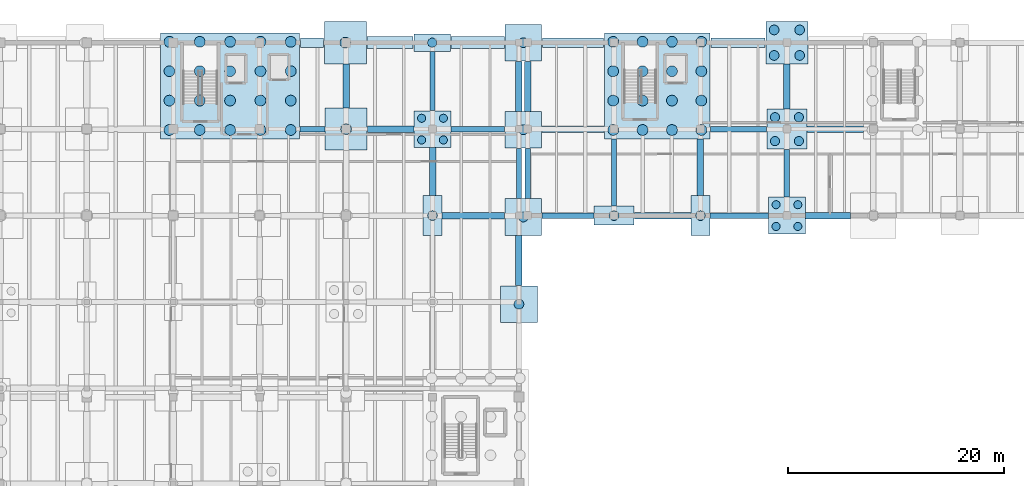
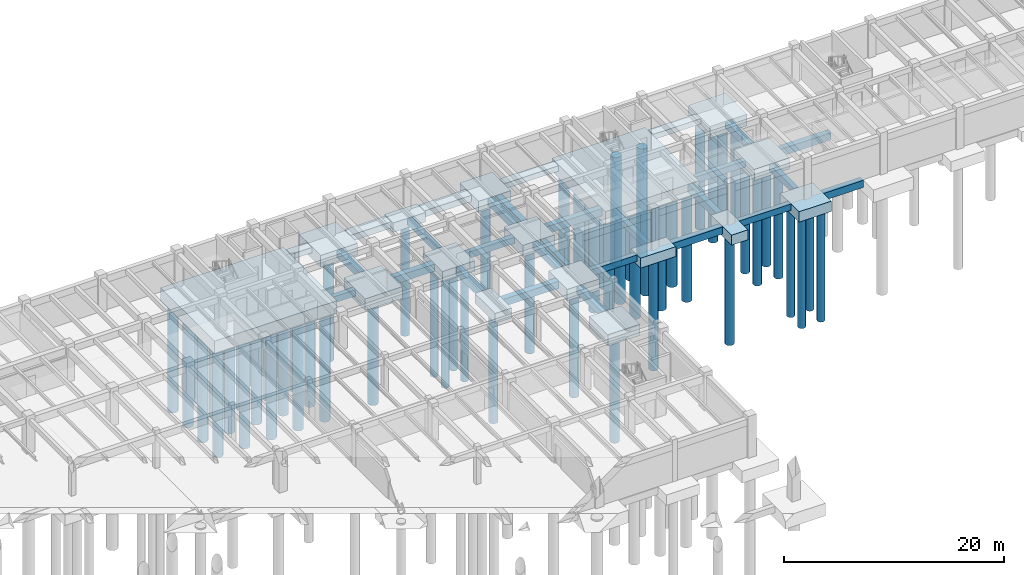
# One storey, part 5 of 25: 62 piles, 44 footings.
"""IFC4 building model written with IfcOpenShell, lengths in metres."""

from ifc_helpers import new_model, si_unit, direction, frame, origin, origin_2d, place, context, subcontext, project, spatial, rectangle, circle, extrude, material, layer, layer_set, material_profile, profile_set, type_object, element, save


model = new_model("IFC4")

# Units and contexts
model_context = context("Model", 3, precision=1e-05, world=origin(), true_north=direction((0.0, 1.0)))
body_context = subcontext(model_context, "Body", "Model", "MODEL_VIEW")
ifc_project = project(units=[si_unit("LENGTHUNIT", "METRE"), si_unit("AREAUNIT", "SQUARE_METRE"), si_unit("VOLUMEUNIT", "CUBIC_METRE"), si_unit("PLANEANGLEUNIT", "RADIAN"), si_unit("MASSUNIT", "GRAM", prefix="KILO")], contexts=[model_context])

# Site, building, storey
site_placement = place(None, origin())
site = spatial("IfcSite", under=ifc_project, at=site_placement, CompositionType="ELEMENT")
building_placement = place(site_placement, origin())
building = spatial("IfcBuilding", under=site, at=building_placement, Name="Tlaxcora Railside Police Headquarters", CompositionType="ELEMENT")
storey_placement = place(building_placement, frame((0.0, 0.0, -4.199951171875)))
storey = spatial("IfcBuildingStorey", under=building, at=storey_placement, Name="B1", CompositionType="ELEMENT", Elevation=-4.199951171875)

# Piles
ifc_material_1 = material(Name="Concrete C35/45", Category="concrete")
ifc_material_profile_1 = material_profile(ifc_material_1, circle(Radius=0.425048828125, at=origin_2d()), Name="PILE850")
ifc_profile_set_1 = profile_set([ifc_material_profile_1], Name="Concrete C35/45")
pile_type_1 = type_object("IfcPileType", Name="Cast-in-Place Bored Pile PL-12", PredefinedType="BORED", material=ifc_profile_set_1)
pile_1_placement = place(storey_placement, frame((93.966552734375, 92.800048828125, -1.340087890625), z_axis=(0.0, 0.0, -1.0), x_axis=(1.0, 0.0, 0.0)))
element("IfcPile", 1, at=pile_1_placement, inside=storey, type_object=pile_type_1, Name="Bored pile PILE-077-1", PredefinedType="BORED", context=body_context, shape_type="SweptSolid", body=[
    extrude(circle(Radius=0.425048828125, at=origin_2d()), origin(), (0.0, 0.0, 1.0), 12.4599609375),
])
for number, where, z_axis, x_axis, name in (
    (2, (125.695068359375, 83.695068359375, -1.5400390625), (0.0, 0.0, -1.0), (1.0, 0.0, 0.0), "Bored pile PILE-091-1"),
    (3, (125.695068359375, 85.905029296875, -1.5400390625), (0.0, 0.0, -1.0), (1.0, 0.0, 0.0), "Bored pile PILE-091-2"),
    (4, (127.905029296875, 83.695068359375, -1.5400390625), (0.0, 0.0, -1.0), (1.0, 0.0, 0.0), "Bored pile PILE-091-3"),
    (5, (127.905029296875, 85.905029296875, -1.5400390625), (0.0, 0.0, -1.0), (1.0, 0.0, 0.0), "Bored pile PILE-091-4"),
):
    element("IfcPile", number, at=place(storey_placement, frame(where, z_axis=z_axis, x_axis=x_axis)), inside=storey, type_object=pile_type_1, Name=name, PredefinedType="BORED", context=body_context, shape_type="SweptSolid", body=[
        extrude(circle(Radius=0.425048828125, at=origin_2d()), origin(), (0.0, 0.0, 1.0), 12.260009765625),
    ])
ifc_material_profile_2 = material_profile(ifc_material_1, circle(Radius=0.449951171875, at=origin_2d()), Name="PILE900")
ifc_profile_set_2 = profile_set([ifc_material_profile_2], Name="Concrete C35/45")
pile_type_2 = type_object("IfcPileType", Name="Cast-in-Place Bored Pile PL-52", PredefinedType="BORED", material=ifc_profile_set_2)
pile_2_placement = place(storey_placement, frame((94.0, 76.800048828125, -1.39013671875), z_axis=(0.0, 0.0, -1.0), x_axis=(1.0, 0.0, 0.0)))
element("IfcPile", 6, at=pile_2_placement, inside=storey, type_object=pile_type_2, Name="Bored pile PILE-080-1", PredefinedType="BORED", context=body_context, shape_type="SweptSolid", body=[
    extrude(circle(Radius=0.449951171875, at=origin_2d()), origin(), (0.0, 0.0, 1.0), 12.409912109375),
])
for number, where, z_axis, x_axis, name in (
    (7, (102.0, 68.60009765625, -1.5400390625), (0.0, 0.0, -1.0), (1.0, 0.0, 0.0), "Bored pile PILE-084-1"),
    (8, (102.39990234375, 76.66650390625, -1.5400390625), (0.0, 0.0, -1.0), (1.0, 0.0, 0.0), "Bored pile PILE-085-1"),
    (9, (102.39990234375, 84.7333984375, -1.5400390625), (0.0, 0.0, -1.0), (1.0, 0.0, 0.0), "Bored pile PILE-086-1"),
    (10, (102.39990234375, 92.800048828125, -1.5400390625), (0.0, 0.0, -1.0), (1.0, 0.0, 0.0), "Bored pile PILE-087-1"),
):
    element("IfcPile", number, at=place(storey_placement, frame(where, z_axis=z_axis, x_axis=x_axis)), inside=storey, type_object=pile_type_2, Name=name, PredefinedType="BORED", context=body_context, shape_type="SweptSolid", body=[
        extrude(circle(Radius=0.449951171875, at=origin_2d()), origin(), (0.0, 0.0, 1.0), 12.260009765625),
    ])
for number, where, z_axis, x_axis, name in (
    (11, (110.800048828125, 76.800048828125, -1.39013671875), (0.0, 0.0, -1.0), (1.0, 0.0, 0.0), "Bored pile PILE-088-1"),
    (12, (118.800048828125, 76.800048828125, -1.39013671875), (0.0, 0.0, -1.0), (1.0, 0.0, 0.0), "Bored pile PILE-089-1"),
):
    element("IfcPile", number, at=place(storey_placement, frame(where, z_axis=z_axis, x_axis=x_axis)), inside=storey, type_object=pile_type_2, Name=name, PredefinedType="BORED", context=body_context, shape_type="SweptSolid", body=[
        extrude(circle(Radius=0.449951171875, at=origin_2d()), origin(), (0.0, 0.0, 1.0), 12.409912109375),
    ])
for number, where, z_axis, x_axis, name in (
    (13, (125.6201171875, 91.6201171875, -1.590087890625), (0.0, 0.0, -1.0), (1.0, 0.0, 0.0), "Bored pile PILE-092-1"),
    (14, (125.6201171875, 93.97998046875, -1.590087890625), (0.0, 0.0, -1.0), (1.0, 0.0, 0.0), "Bored pile PILE-092-2"),
    (15, (127.97998046875, 91.6201171875, -1.590087890625), (0.0, 0.0, -1.0), (1.0, 0.0, 0.0), "Bored pile PILE-092-3"),
    (16, (127.97998046875, 93.97998046875, -1.590087890625), (0.0, 0.0, -1.0), (1.0, 0.0, 0.0), "Bored pile PILE-092-4"),
):
    element("IfcPile", number, at=place(storey_placement, frame(where, z_axis=z_axis, x_axis=x_axis)), inside=storey, type_object=pile_type_2, Name=name, PredefinedType="BORED", context=body_context, shape_type="SweptSolid", body=[
        extrude(circle(Radius=0.449951171875, at=origin_2d()), origin(), (0.0, 0.0, 1.0), 12.2099609375),
    ])
ifc_material_profile_3 = material_profile(ifc_material_1, circle(Radius=0.375, at=origin_2d()), Name="PILE750")
ifc_profile_set_3 = profile_set([ifc_material_profile_3], Name="Concrete C35/45")
pile_type_3 = type_object("IfcPileType", Name="Cast-in-Place Bored Pile PL-58", PredefinedType="BORED", material=ifc_profile_set_3)
for number, where, z_axis, x_axis, name in (
    (17, (92.9951171875, 83.794921875, -1.43994140625), (0.0, 0.0, -1.0), (1.0, 0.0, 0.0), "Bored pile PILE-081-1"),
    (18, (92.9951171875, 85.804931640625, -1.43994140625), (0.0, 0.0, -1.0), (1.0, 0.0, 0.0), "Bored pile PILE-081-2"),
    (19, (95.0048828125, 83.794921875, -1.43994140625), (0.0, 0.0, -1.0), (1.0, 0.0, 0.0), "Bored pile PILE-081-3"),
    (20, (95.0048828125, 85.804931640625, -1.43994140625), (0.0, 0.0, -1.0), (1.0, 0.0, 0.0), "Bored pile PILE-081-4"),
    (21, (125.794921875, 75.794921875, -1.43994140625), (0.0, 0.0, -1.0), (1.0, 0.0, 0.0), "Bored pile PILE-090-1"),
    (22, (125.794921875, 77.804931640625, -1.43994140625), (0.0, 0.0, -1.0), (1.0, 0.0, 0.0), "Bored pile PILE-090-2"),
    (23, (127.804931640625, 75.794921875, -1.43994140625), (0.0, 0.0, -1.0), (1.0, 0.0, 0.0), "Bored pile PILE-090-3"),
    (24, (127.804931640625, 77.804931640625, -1.43994140625), (0.0, 0.0, -1.0), (1.0, 0.0, 0.0), "Bored pile PILE-090-4"),
):
    element("IfcPile", number, at=place(storey_placement, frame(where, z_axis=z_axis, x_axis=x_axis)), inside=storey, type_object=pile_type_3, Name=name, PredefinedType="BORED", context=body_context, shape_type="SweptSolid", body=[
        extrude(circle(Radius=0.375, at=origin_2d()), origin(), (0.0, 0.0, 1.0), 12.360107421875),
    ])
ifc_material_profile_4 = material_profile(ifc_material_1, circle(Radius=0.5, at=origin_2d()), Name="PILE1000")
ifc_profile_set_4 = profile_set([ifc_material_profile_4], Name="Concrete C35/45")
pile_type_4 = type_object("IfcPileType", Name="Cast-in-Place Bored Pile PL-74", PredefinedType="BORED", material=ifc_profile_set_4)
for number, where, z_axis, x_axis, name in (
    (25, (69.651611328125, 84.719970703125, -1.739990234375), (0.0, 0.0, -1.0), (1.0, 0.0, 0.0), "Bored pile PILE-002-1"),
    (26, (69.651611328125, 87.43994140625, -1.739990234375), (0.0, 0.0, -1.0), (1.0, 0.0, 0.0), "Bored pile PILE-002-2"),
    (27, (69.651611328125, 90.159912109375, -1.739990234375), (0.0, 0.0, -1.0), (1.0, 0.0, 0.0), "Bored pile PILE-002-3"),
    (28, (69.651611328125, 92.8798828125, -1.739990234375), (0.0, 0.0, -1.0), (1.0, 0.0, 0.0), "Bored pile PILE-002-4"),
    (29, (72.458984375, 84.719970703125, -1.739990234375), (0.0, 0.0, -1.0), (1.0, 0.0, 0.0), "Bored pile PILE-002-5"),
    (30, (72.458984375, 87.43994140625, -1.739990234375), (0.0, 0.0, -1.0), (1.0, 0.0, 0.0), "Bored pile PILE-002-6"),
    (31, (72.458984375, 90.159912109375, -1.739990234375), (0.0, 0.0, -1.0), (1.0, 0.0, 0.0), "Bored pile PILE-002-7"),
    (32, (72.458984375, 92.8798828125, -1.739990234375), (0.0, 0.0, -1.0), (1.0, 0.0, 0.0), "Bored pile PILE-002-8"),
    (33, (75.2666015625, 84.719970703125, -1.739990234375), (0.0, 0.0, -1.0), (1.0, 0.0, 0.0), "Bored pile PILE-002-9"),
    (34, (75.2666015625, 87.43994140625, -1.739990234375), (0.0, 0.0, -1.0), (1.0, 0.0, 0.0), "Bored pile PILE-002-10"),
    (35, (75.2666015625, 90.159912109375, -1.739990234375), (0.0, 0.0, -1.0), (1.0, 0.0, 0.0), "Bored pile PILE-002-11"),
    (36, (75.2666015625, 92.8798828125, -1.739990234375), (0.0, 0.0, -1.0), (1.0, 0.0, 0.0), "Bored pile PILE-002-12"),
    (37, (78.073974609375, 84.719970703125, -1.739990234375), (0.0, 0.0, -1.0), (1.0, 0.0, 0.0), "Bored pile PILE-002-13"),
    (38, (78.073974609375, 87.43994140625, -1.739990234375), (0.0, 0.0, -1.0), (1.0, 0.0, 0.0), "Bored pile PILE-002-14"),
    (39, (78.073974609375, 90.159912109375, -1.739990234375), (0.0, 0.0, -1.0), (1.0, 0.0, 0.0), "Bored pile PILE-002-15"),
    (40, (78.073974609375, 92.8798828125, -1.739990234375), (0.0, 0.0, -1.0), (1.0, 0.0, 0.0), "Bored pile PILE-002-16"),
    (41, (80.881591796875, 84.719970703125, -1.739990234375), (0.0, 0.0, -1.0), (1.0, 0.0, 0.0), "Bored pile PILE-002-17"),
    (42, (80.881591796875, 87.43994140625, -1.739990234375), (0.0, 0.0, -1.0), (1.0, 0.0, 0.0), "Bored pile PILE-002-18"),
    (43, (80.881591796875, 90.159912109375, -1.739990234375), (0.0, 0.0, -1.0), (1.0, 0.0, 0.0), "Bored pile PILE-002-19"),
    (44, (80.881591796875, 92.8798828125, -1.739990234375), (0.0, 0.0, -1.0), (1.0, 0.0, 0.0), "Bored pile PILE-002-20"),
    (45, (110.719970703125, 84.719970703125, -1.739990234375), (0.0, 0.0, -1.0), (1.0, 0.0, 0.0), "Bored pile PILE-003-1"),
    (46, (110.719970703125, 87.43994140625, -1.739990234375), (0.0, 0.0, -1.0), (1.0, 0.0, 0.0), "Bored pile PILE-003-2"),
    (47, (110.719970703125, 90.159912109375, -1.739990234375), (0.0, 0.0, -1.0), (1.0, 0.0, 0.0), "Bored pile PILE-003-3"),
    (48, (110.719970703125, 92.8798828125, -1.739990234375), (0.0, 0.0, -1.0), (1.0, 0.0, 0.0), "Bored pile PILE-003-4"),
    (49, (113.43994140625, 84.719970703125, -1.739990234375), (0.0, 0.0, -1.0), (1.0, 0.0, 0.0), "Bored pile PILE-003-5"),
    (50, (113.43994140625, 87.43994140625, -1.739990234375), (0.0, 0.0, -1.0), (1.0, 0.0, 0.0), "Bored pile PILE-003-6"),
    (51, (113.43994140625, 90.159912109375, -1.739990234375), (0.0, 0.0, -1.0), (1.0, 0.0, 0.0), "Bored pile PILE-003-7"),
    (52, (113.43994140625, 92.8798828125, -1.739990234375), (0.0, 0.0, -1.0), (1.0, 0.0, 0.0), "Bored pile PILE-003-8"),
    (53, (116.159912109375, 84.719970703125, -1.739990234375), (0.0, 0.0, -1.0), (1.0, 0.0, 0.0), "Bored pile PILE-003-9"),
    (54, (116.159912109375, 87.43994140625, -1.739990234375), (0.0, 0.0, -1.0), (1.0, 0.0, 0.0), "Bored pile PILE-003-10"),
    (55, (116.159912109375, 90.159912109375, -1.739990234375), (0.0, 0.0, -1.0), (1.0, 0.0, 0.0), "Bored pile PILE-003-11"),
    (56, (116.159912109375, 92.8798828125, -1.739990234375), (0.0, 0.0, -1.0), (1.0, 0.0, 0.0), "Bored pile PILE-003-12"),
    (57, (118.8798828125, 84.719970703125, -1.739990234375), (0.0, 0.0, -1.0), (1.0, 0.0, 0.0), "Bored pile PILE-003-13"),
    (58, (118.8798828125, 87.43994140625, -1.739990234375), (0.0, 0.0, -1.0), (1.0, 0.0, 0.0), "Bored pile PILE-003-14"),
    (59, (118.8798828125, 90.159912109375, -1.739990234375), (0.0, 0.0, -1.0), (1.0, 0.0, 0.0), "Bored pile PILE-003-15"),
    (60, (118.8798828125, 92.8798828125, -1.739990234375), (0.0, 0.0, -1.0), (1.0, 0.0, 0.0), "Bored pile PILE-003-16"),
):
    element("IfcPile", number, at=place(storey_placement, frame(where, z_axis=z_axis, x_axis=x_axis)), inside=storey, type_object=pile_type_4, Name=name, PredefinedType="BORED", context=body_context, shape_type="SweptSolid", body=[
        extrude(circle(Radius=0.5, at=origin_2d()), origin(), (0.0, 0.0, 1.0), 12.06005859375),
    ])
for number, where, z_axis, x_axis, name in (
    (61, (85.93359375, 92.800048828125, -1.590087890625), (0.0, 0.0, -1.0), (1.0, 0.0, 0.0), "Bored pile PILE-069-1"),
    (62, (86.0, 84.800048828125, -1.590087890625), (0.0, 0.0, -1.0), (1.0, 0.0, 0.0), "Bored pile PILE-075-1"),
):
    element("IfcPile", number, at=place(storey_placement, frame(where, z_axis=z_axis, x_axis=x_axis)), inside=storey, type_object=pile_type_4, Name=name, PredefinedType="BORED", context=body_context, shape_type="SweptSolid", body=[
        extrude(circle(Radius=0.5, at=origin_2d()), origin(), (0.0, 0.0, 1.0), 12.2099609375),
    ])

# Footings
ifc_material_2 = material(Name="Concrete C40/50", Category="concrete")
ifc_layer_1 = layer(ifc_material_2, 1.35009765625, Name="Concrete C40/50")
ifc_layer_set_1 = layer_set([ifc_layer_1], Name="Concrete C40/50")
footing_type_1 = type_object("IfcFootingType", Name="Reinforced Concrete Pile Cap FT-227", PredefinedType="PILE_CAP", material=ifc_layer_set_1)
for number, where, z_axis, x_axis, name in (
    (63, (102.0, 68.60009765625, -1.68994140625), (0.0, 0.0, 1.0), (1.0, 0.0, 0.0), "Pile cap CAP-B1-084"),
    (64, (102.39990234375, 76.66650390625, -1.68994140625), (0.0, 0.0, 1.0), (1.0, 0.0, 0.0), "Pile cap CAP-B1-085"),
    (65, (102.39990234375, 84.7333984375, -1.68994140625), (0.0, 0.0, 1.0), (1.0, 0.0, 0.0), "Pile cap CAP-B1-086"),
    (66, (102.39990234375, 92.800048828125, -1.68994140625), (0.0, 0.0, 1.0), (1.0, 0.0, 0.0), "Pile cap CAP-B1-087"),
):
    element("IfcFooting", number, at=place(storey_placement, frame(where, z_axis=z_axis, x_axis=x_axis)), inside=storey, type_object=footing_type_1, Name=name, PredefinedType="PILE_CAP", context=body_context, shape_type="SweptSolid", body=[
        extrude(rectangle(XDim=3.39990234375, YDim=3.39990234375, at=origin_2d()), origin(), (0.0, 0.0, 1.0), 1.25),
    ])
ifc_layer_2 = layer(ifc_material_2, 1.449951171875, Name="Concrete C40/50")
ifc_layer_set_2 = layer_set([ifc_layer_2], Name="Concrete C40/50")
footing_type_2 = type_object("IfcFootingType", Name="Reinforced Concrete Pile Cap FT-232", PredefinedType="PILE_CAP", material=ifc_layer_set_2)
footing_1_placement = place(storey_placement, frame((75.2666015625, 88.800048828125, -1.89013671875), z_axis=(0.0, 0.0, 1.0), x_axis=(1.0, 0.0, 0.0)))
element("IfcFooting", 67, at=footing_1_placement, inside=storey, type_object=footing_type_2, Name="Pile cap CAP-B1-002", PredefinedType="PILE_CAP", context=body_context, shape_type="SweptSolid", body=[
    extrude(rectangle(XDim=12.8701171875, YDim=9.800048828125, at=origin_2d()), origin(), (0.0, 0.0, 1.0), 1.449951171875),
])
ifc_layer_3 = layer(ifc_material_2, 1.449951171875, Name="Concrete C40/50")
ifc_layer_set_3 = layer_set([ifc_layer_3], Name="Concrete C40/50")
footing_type_3 = type_object("IfcFootingType", Name="Reinforced Concrete Pile Cap FT-234", PredefinedType="PILE_CAP", material=ifc_layer_set_3)
footing_2_placement = place(storey_placement, frame((114.800048828125, 88.800048828125, -1.89013671875), z_axis=(0.0, 0.0, 1.0), x_axis=(1.0, 0.0, 0.0)))
element("IfcFooting", 68, at=footing_2_placement, inside=storey, type_object=footing_type_3, Name="Pile cap CAP-B1-003", PredefinedType="PILE_CAP", context=body_context, shape_type="SweptSolid", body=[
    extrude(rectangle(XDim=9.800048828125, YDim=9.800048828125, at=origin_2d()), origin(), (0.0, 0.0, 1.0), 1.449951171875),
])
ifc_layer_4 = layer(ifc_material_2, 1.050048828125, Name="Concrete C40/50")
ifc_layer_set_4 = layer_set([ifc_layer_4], Name="Concrete C40/50")
footing_type_4 = type_object("IfcFootingType", Name="Reinforced Concrete Pile Cap FT-28", PredefinedType="PILE_CAP", material=ifc_layer_set_4)
footing_3_placement = place(storey_placement, frame((93.966552734375, 92.800048828125, -1.490234375), z_axis=(0.0, 0.0, 1.0), x_axis=(1.0, 0.0, 0.0)))
element("IfcFooting", 69, at=footing_3_placement, inside=storey, type_object=footing_type_4, Name="Pile cap CAP-B1-077", PredefinedType="PILE_CAP", context=body_context, shape_type="SweptSolid", body=[
    extrude(rectangle(XDim=3.39990234375, YDim=1.60009765625, at=origin_2d()), origin(), (0.0, 0.0, 1.0), 1.050048828125),
])
ifc_layer_5 = layer(ifc_material_2, 1.14990234375, Name="Concrete C40/50")
ifc_layer_set_5 = layer_set([ifc_layer_5], Name="Concrete C40/50")
footing_type_5 = type_object("IfcFootingType", Name="Reinforced Concrete Pile Cap FT-44", PredefinedType="PILE_CAP", material=ifc_layer_set_5)
for number, where, z_axis, x_axis, name in (
    (70, (94.0, 84.800048828125, -1.590087890625), (0.0, 0.0, 1.0), (1.0, 0.0, 0.0), "Pile cap CAP-B1-081"),
    (71, (126.800048828125, 76.800048828125, -1.590087890625), (0.0, 0.0, 1.0), (1.0, 0.0, 0.0), "Pile cap CAP-B1-090"),
):
    element("IfcFooting", number, at=place(storey_placement, frame(where, z_axis=z_axis, x_axis=x_axis)), inside=storey, type_object=footing_type_5, Name=name, PredefinedType="PILE_CAP", context=body_context, shape_type="SweptSolid", body=[
        extrude(rectangle(XDim=3.39990234375, YDim=3.39990234375, at=origin_2d()), origin(), (0.0, 0.0, 1.0), 1.14990234375),
    ])
ifc_layer_6 = layer(ifc_material_2, 1.300048828125, Name="Concrete C40/50")
ifc_layer_set_6 = layer_set([ifc_layer_6], Name="Concrete C40/50")
footing_type_6 = type_object("IfcFootingType", Name="Reinforced Concrete Pile Cap FT-75", PredefinedType="PILE_CAP", material=ifc_layer_set_6)
for number, where, z_axis, x_axis, name in (
    (72, (85.93359375, 92.800048828125, -1.740234375), (0.0, 0.0, 1.0), (1.0, 0.0, 0.0), "Pile cap CAP-B1-069"),
    (73, (86.0, 84.800048828125, -1.740234375), (0.0, 0.0, 1.0), (1.0, 0.0, 0.0), "Pile cap CAP-B1-075"),
    (74, (126.800048828125, 92.800048828125, -1.740234375), (0.0, 0.0, 1.0), (1.0, 0.0, 0.0), "Pile cap CAP-B1-092"),
):
    element("IfcFooting", number, at=place(storey_placement, frame(where, z_axis=z_axis, x_axis=x_axis)), inside=storey, type_object=footing_type_6, Name=name, PredefinedType="PILE_CAP", context=body_context, shape_type="SweptSolid", body=[
        extrude(rectangle(XDim=3.89990234375, YDim=3.89990234375, at=origin_2d()), origin(), (0.0, 0.0, 1.0), 1.300048828125),
    ])
ifc_layer_7 = layer(ifc_material_2, 1.10009765625, Name="Concrete C40/50")
ifc_layer_set_7 = layer_set([ifc_layer_7], Name="Concrete C40/50")
footing_type_7 = type_object("IfcFootingType", Name="Reinforced Concrete Pile Cap FT-77", PredefinedType="PILE_CAP", material=ifc_layer_set_7)
footing_4_placement = place(storey_placement, frame((110.800048828125, 76.800048828125, -1.5400390625), z_axis=(0.0, 0.0, 1.0), x_axis=(1.0, 0.0, 0.0)))
element("IfcFooting", 75, at=footing_4_placement, inside=storey, type_object=footing_type_7, Name="Pile cap CAP-B1-088", PredefinedType="PILE_CAP", context=body_context, shape_type="SweptSolid", body=[
    extrude(rectangle(XDim=3.699951171875, YDim=1.75, at=origin_2d()), origin(), (0.0, 0.0, 1.0), 1.10009765625),
])
ifc_layer_8 = layer(ifc_material_2, 1.25, Name="Concrete C40/50")
ifc_layer_set_8 = layer_set([ifc_layer_8], Name="Concrete C40/50")
footing_type_8 = type_object("IfcFootingType", Name="Reinforced Concrete Pile Cap FT-78", PredefinedType="PILE_CAP", material=ifc_layer_set_8)
footing_5_placement = place(storey_placement, frame((126.800048828125, 84.800048828125, -1.68994140625), z_axis=(0.0, 0.0, 1.0), x_axis=(1.0, 0.0, 0.0)))
element("IfcFooting", 76, at=footing_5_placement, inside=storey, type_object=footing_type_8, Name="Pile cap CAP-B1-091", PredefinedType="PILE_CAP", context=body_context, shape_type="SweptSolid", body=[
    extrude(rectangle(XDim=3.699951171875, YDim=3.699951171875, at=origin_2d()), origin(), (0.0, 0.0, 1.0), 1.25),
])
ifc_layer_9 = layer(ifc_material_2, 1.10009765625, Name="Concrete C40/50")
ifc_layer_set_9 = layer_set([ifc_layer_9], Name="Concrete C40/50")
footing_type_9 = type_object("IfcFootingType", Name="Reinforced Concrete Pile Cap FT-97", PredefinedType="PILE_CAP", material=ifc_layer_set_9)
for number, where, z_axis, x_axis, name in (
    (77, (94.0, 76.800048828125, -1.5400390625), (0.0, 0.0, 1.0), (1.0, 0.0, 0.0), "Pile cap CAP-B1-080"),
    (78, (118.800048828125, 76.800048828125, -1.5400390625), (0.0, 0.0, 1.0), (1.0, 0.0, 0.0), "Pile cap CAP-B1-089"),
):
    element("IfcFooting", number, at=place(storey_placement, frame(where, z_axis=z_axis, x_axis=x_axis)), inside=storey, type_object=footing_type_9, Name=name, PredefinedType="PILE_CAP", context=body_context, shape_type="SweptSolid", body=[
        extrude(rectangle(XDim=1.75, YDim=3.699951171875, at=origin_2d()), origin(), (0.0, 0.0, 1.0), 1.10009765625),
    ])
ifc_layer_10 = layer(ifc_material_1, 0.699951171875, Name="Concrete C35/45")
ifc_layer_set_10 = layer_set([ifc_layer_10], Name="Concrete C35/45")
footing_type_10 = type_object("IfcFootingType", Name="Reinforced Concrete Strip Footing FT-67", PredefinedType="STRIP_FOOTING", material=ifc_layer_set_10)
footing_6_placement = place(storey_placement, frame((90.074951171875, 92.800048828125, -1.14013671875), z_axis=(0.0, 0.0, 1.0), x_axis=(1.0, 0.0, 0.0)))
element("IfcFooting", 79, at=footing_6_placement, inside=storey, type_object=footing_type_10, Name="Retaining wall strip footing SF-04", PredefinedType="STRIP_FOOTING", context=body_context, shape_type="SweptSolid", body=[
    extrude(rectangle(XDim=4.262939453125, YDim=1.10009765625, at=origin_2d()), origin(), (0.0, 0.0, 1.0), 0.699951171875),
])
footing_7_placement = place(storey_placement, frame((98.183349609375, 92.800048828125, -1.14013671875), z_axis=(0.0, 0.0, 1.0), x_axis=(1.0, 0.0, 0.0)))
element("IfcFooting", 80, at=footing_7_placement, inside=storey, type_object=footing_type_10, Name="Retaining wall strip footing SF-06", PredefinedType="STRIP_FOOTING", context=body_context, shape_type="SweptSolid", body=[
    extrude(rectangle(XDim=4.91357421875, YDim=1.10009765625, at=origin_2d()), origin(), (0.0, 0.0, 1.0), 0.699951171875),
])
ifc_layer_11 = layer(ifc_material_1, 0.60009765625, Name="Concrete C35/45")
ifc_layer_set_11 = layer_set([ifc_layer_11], Name="Concrete C35/45")
footing_type_11 = type_object("IfcFootingType", Name="Reinforced Concrete Strip Footing FT-98", PredefinedType="STRIP_FOOTING", material=ifc_layer_set_11)
footing_8_placement = place(storey_placement, frame((122.27490234375, 92.800048828125, -1.0400390625), z_axis=(0.0, 0.0, 1.0), x_axis=(1.0, 0.0, 0.0)))
element("IfcFooting", 81, at=footing_8_placement, inside=storey, type_object=footing_type_11, Name="Retaining wall strip footing SF-01", PredefinedType="STRIP_FOOTING", context=body_context, shape_type="SweptSolid", body=[
    extrude(rectangle(XDim=5.030029296875, YDim=0.89990234375, at=origin_2d()), origin(), (0.0, 0.0, 1.0), 0.60009765625),
])
footing_9_placement = place(storey_placement, frame((82.842529296875, 92.800048828125, -1.0400390625), z_axis=(0.0, 0.0, 1.0), x_axis=(1.0, 0.0, 0.0)))
element("IfcFooting", 82, at=footing_9_placement, inside=storey, type_object=footing_type_11, Name="Retaining wall strip footing SF-03", PredefinedType="STRIP_FOOTING", context=body_context, shape_type="SweptSolid", body=[
    extrude(rectangle(XDim=2.162109375, YDim=0.89990234375, at=origin_2d()), origin(), (0.0, 0.0, 1.0), 0.60009765625),
])
footing_10_placement = place(storey_placement, frame((107.0, 92.800048828125, -1.0400390625), z_axis=(0.0, 0.0, 1.0), x_axis=(1.0, 0.0, 0.0)))
element("IfcFooting", 83, at=footing_10_placement, inside=storey, type_object=footing_type_11, Name="Retaining wall strip footing SF-05", PredefinedType="STRIP_FOOTING", context=body_context, shape_type="SweptSolid", body=[
    extrude(rectangle(XDim=5.679931640625, YDim=0.89990234375, at=origin_2d()), origin(), (0.0, 0.0, 1.0), 0.60009765625),
])
ifc_layer_12 = layer(ifc_material_1, 0.699951171875, Name="Concrete C35/45")
ifc_layer_set_12 = layer_set([ifc_layer_12], Name="Concrete C35/45")
footing_type_12 = type_object("IfcFootingType", Name="Reinforced Concrete Tie Beam FT-39", PredefinedType="FOOTING_BEAM", material=ifc_layer_set_12)
footing_11_placement = place(storey_placement, frame((106.52490234375, 76.800048828125, -1.14013671875), z_axis=(0.0, 0.0, 1.0), x_axis=(1.0, 0.0, 0.0)))
element("IfcFooting", 84, at=footing_11_placement, inside=storey, type_object=footing_type_12, Name="Seismic tie beam TB-X-067", PredefinedType="FOOTING_BEAM", context=body_context, shape_type="SweptSolid", body=[
    extrude(rectangle(XDim=4.81005859375, YDim=0.5, at=origin_2d()), origin(), (0.0, 0.0, 1.0), 0.699951171875),
])
footing_12_placement = place(storey_placement, frame((122.387451171875, 76.800048828125, -1.14013671875), z_axis=(0.0, 0.0, 1.0), x_axis=(1.0, 0.0, 0.0)))
element("IfcFooting", 85, at=footing_12_placement, inside=storey, type_object=footing_type_12, Name="Seismic tie beam TB-X-069", PredefinedType="FOOTING_BEAM", context=body_context, shape_type="SweptSolid", body=[
    extrude(rectangle(XDim=5.385009765625, YDim=0.5, at=origin_2d()), origin(), (0.0, 0.0, 1.0), 0.699951171875),
])
footing_13_placement = place(storey_placement, frame((82.875732421875, 84.800048828125, -1.14013671875), z_axis=(0.0, 0.0, 1.0), x_axis=(1.0, 0.0, 0.0)))
element("IfcFooting", 86, at=footing_13_placement, inside=storey, type_object=footing_type_12, Name="Seismic tie beam TB-X-079", PredefinedType="FOOTING_BEAM", context=body_context, shape_type="SweptSolid", body=[
    extrude(rectangle(XDim=2.30859375, YDim=0.5, at=origin_2d()), origin(), (0.0, 0.0, 1.0), 0.699951171875),
])
footing_14_placement = place(storey_placement, frame((98.199951171875, 84.800048828125, -1.14013671875), z_axis=(0.0, 0.0, 1.0), x_axis=(1.0, 0.0, 0.0)))
element("IfcFooting", 87, at=footing_14_placement, inside=storey, type_object=footing_type_12, Name="Seismic tie beam TB-X-081", PredefinedType="FOOTING_BEAM", context=body_context, shape_type="SweptSolid", body=[
    extrude(rectangle(XDim=4.9599609375, YDim=0.5, at=origin_2d()), origin(), (0.0, 0.0, 1.0), 0.699951171875),
])
footing_15_placement = place(storey_placement, frame((122.324951171875, 84.800048828125, -1.14013671875), z_axis=(0.0, 0.0, 1.0), x_axis=(1.0, 0.0, 0.0)))
element("IfcFooting", 88, at=footing_15_placement, inside=storey, type_object=footing_type_12, Name="Seismic tie beam TB-X-083", PredefinedType="FOOTING_BEAM", context=body_context, shape_type="SweptSolid", body=[
    extrude(rectangle(XDim=5.2099609375, YDim=0.5, at=origin_2d()), origin(), (0.0, 0.0, 1.0), 0.699951171875),
])
footing_16_placement = place(storey_placement, frame((94.0, 89.25, -1.14013671875), z_axis=(0.0, 0.0, 1.0), x_axis=(0.0, 1.0, 0.0)))
element("IfcFooting", 89, at=footing_16_placement, inside=storey, type_object=footing_type_12, Name="Seismic tie beam TB-Y-151", PredefinedType="FOOTING_BEAM", context=body_context, shape_type="SweptSolid", body=[
    extrude(rectangle(XDim=5.4599609375, YDim=0.5, at=origin_2d()), origin(), (0.0, 0.0, 1.0), 0.699951171875),
])
for number, where, z_axis, x_axis, name in (
    (90, (102.0, 80.699951171875, -1.14013671875), (0.0, 0.0, 1.0), (0.0, 1.0, 0.0), "Seismic tie beam TB-Y-155"),
    (91, (102.800048828125, 80.699951171875, -1.14013671875), (0.0, 0.0, 1.0), (0.0, 1.0, 0.0), "Seismic tie beam TB-Y-157"),
):
    element("IfcFooting", number, at=place(storey_placement, frame(where, z_axis=z_axis, x_axis=x_axis)), inside=storey, type_object=footing_type_12, Name=name, PredefinedType="FOOTING_BEAM", context=body_context, shape_type="SweptSolid", body=[
        extrude(rectangle(XDim=4.626953125, YDim=0.5, at=origin_2d()), origin(), (0.0, 0.0, 1.0), 0.699951171875),
    ])
footing_17_placement = place(storey_placement, frame((110.800048828125, 80.78759765625, -1.14013671875), z_axis=(0.0, 0.0, 1.0), x_axis=(0.0, 1.0, 0.0)))
element("IfcFooting", 92, at=footing_17_placement, inside=storey, type_object=footing_type_12, Name="Seismic tie beam TB-Y-159", PredefinedType="FOOTING_BEAM", context=body_context, shape_type="SweptSolid", body=[
    extrude(rectangle(XDim=6.18505859375, YDim=0.5, at=origin_2d()), origin(), (0.0, 0.0, 1.0), 0.699951171875),
])
footing_18_placement = place(storey_placement, frame((126.800048828125, 80.72509765625, -1.14013671875), z_axis=(0.0, 0.0, 1.0), x_axis=(0.0, 1.0, 0.0)))
element("IfcFooting", 93, at=footing_18_placement, inside=storey, type_object=footing_type_12, Name="Seismic tie beam TB-Y-161", PredefinedType="FOOTING_BEAM", context=body_context, shape_type="SweptSolid", body=[
    extrude(rectangle(XDim=4.409912109375, YDim=0.5, at=origin_2d()), origin(), (0.0, 0.0, 1.0), 0.699951171875),
])
ifc_layer_13 = layer(ifc_material_1, 0.800048828125, Name="Concrete C35/45")
ifc_layer_set_13 = layer_set([ifc_layer_13], Name="Concrete C35/45")
footing_type_13 = type_object("IfcFootingType", Name="Reinforced Concrete Tie Beam FT-96", PredefinedType="FOOTING_BEAM", material=ifc_layer_set_13)
footing_19_placement = place(storey_placement, frame((97.78759765625, 76.800048828125, -1.240234375), z_axis=(0.0, 0.0, 1.0), x_axis=(1.0, 0.0, 0.0)))
element("IfcFooting", 94, at=footing_19_placement, inside=storey, type_object=footing_type_13, Name="Seismic tie beam TB-X-066", PredefinedType="FOOTING_BEAM", context=body_context, shape_type="SweptSolid", body=[
    extrude(rectangle(XDim=5.784912109375, YDim=0.60009765625, at=origin_2d()), origin(), (0.0, 0.0, 1.0), 0.800048828125),
])
footing_20_placement = place(storey_placement, frame((115.28759765625, 76.800048828125, -1.240234375), z_axis=(0.0, 0.0, 1.0), x_axis=(1.0, 0.0, 0.0)))
element("IfcFooting", 95, at=footing_20_placement, inside=storey, type_object=footing_type_13, Name="Seismic tie beam TB-X-068", PredefinedType="FOOTING_BEAM", context=body_context, shape_type="SweptSolid", body=[
    extrude(rectangle(XDim=5.235107421875, YDim=0.60009765625, at=origin_2d()), origin(), (0.0, 0.0, 1.0), 0.800048828125),
])
footing_21_placement = place(storey_placement, frame((130.60009765625, 76.800048828125, -1.240234375), z_axis=(0.0, 0.0, 1.0), x_axis=(1.0, 0.0, 0.0)))
element("IfcFooting", 96, at=footing_21_placement, inside=storey, type_object=footing_type_13, Name="Seismic tie beam TB-X-070", PredefinedType="FOOTING_BEAM", context=body_context, shape_type="SweptSolid", body=[
    extrude(rectangle(XDim=4.159912109375, YDim=0.60009765625, at=origin_2d()), origin(), (0.0, 0.0, 1.0), 0.800048828125),
])
footing_22_placement = place(storey_placement, frame((90.125, 84.800048828125, -1.240234375), z_axis=(0.0, 0.0, 1.0), x_axis=(1.0, 0.0, 0.0)))
element("IfcFooting", 97, at=footing_22_placement, inside=storey, type_object=footing_type_13, Name="Seismic tie beam TB-X-080", PredefinedType="FOOTING_BEAM", context=body_context, shape_type="SweptSolid", body=[
    extrude(rectangle(XDim=4.31005859375, YDim=0.60009765625, at=origin_2d()), origin(), (0.0, 0.0, 1.0), 0.800048828125),
])
footing_23_placement = place(storey_placement, frame((107.0, 84.800048828125, -1.240234375), z_axis=(0.0, 0.0, 1.0), x_axis=(1.0, 0.0, 0.0)))
element("IfcFooting", 98, at=footing_23_placement, inside=storey, type_object=footing_type_13, Name="Seismic tie beam TB-X-082", PredefinedType="FOOTING_BEAM", context=body_context, shape_type="SweptSolid", body=[
    extrude(rectangle(XDim=5.760009765625, YDim=0.60009765625, at=origin_2d()), origin(), (0.0, 0.0, 1.0), 0.800048828125),
])
footing_24_placement = place(storey_placement, frame((131.27490234375, 84.800048828125, -1.240234375), z_axis=(0.0, 0.0, 1.0), x_axis=(1.0, 0.0, 0.0)))
element("IfcFooting", 99, at=footing_24_placement, inside=storey, type_object=footing_type_13, Name="Seismic tie beam TB-X-084", PredefinedType="FOOTING_BEAM", context=body_context, shape_type="SweptSolid", body=[
    extrude(rectangle(XDim=5.2099609375, YDim=0.60009765625, at=origin_2d()), origin(), (0.0, 0.0, 1.0), 0.800048828125),
])
footing_25_placement = place(storey_placement, frame((86.0, 88.800048828125, -1.240234375), z_axis=(0.0, 0.0, 1.0), x_axis=(0.0, 1.0, 0.0)))
element("IfcFooting", 100, at=footing_25_placement, inside=storey, type_object=footing_type_13, Name="Seismic tie beam TB-Y-146", PredefinedType="FOOTING_BEAM", context=body_context, shape_type="SweptSolid", body=[
    extrude(rectangle(XDim=4.06005859375, YDim=0.60009765625, at=origin_2d()), origin(), (0.0, 0.0, 1.0), 0.800048828125),
])
footing_26_placement = place(storey_placement, frame((94.0, 80.875, -1.240234375), z_axis=(0.0, 0.0, 1.0), x_axis=(0.0, 1.0, 0.0)))
element("IfcFooting", 101, at=footing_26_placement, inside=storey, type_object=footing_type_13, Name="Seismic tie beam TB-Y-150", PredefinedType="FOOTING_BEAM", context=body_context, shape_type="SweptSolid", body=[
    extrude(rectangle(XDim=4.409912109375, YDim=0.60009765625, at=origin_2d()), origin(), (0.0, 0.0, 1.0), 0.800048828125),
])
for number, where, z_axis, x_axis, name in (
    (102, (102.0, 72.63330078125, -1.240234375), (0.0, 0.0, 1.0), (0.0, 1.0, 0.0), "Seismic tie beam TB-Y-154"),
    (103, (102.0, 88.766845703125, -1.240234375), (0.0, 0.0, 1.0), (0.0, 1.0, 0.0), "Seismic tie beam TB-Y-156"),
    (104, (102.800048828125, 88.766845703125, -1.240234375), (0.0, 0.0, 1.0), (0.0, 1.0, 0.0), "Seismic tie beam TB-Y-158"),
):
    element("IfcFooting", number, at=place(storey_placement, frame(where, z_axis=z_axis, x_axis=x_axis)), inside=storey, type_object=footing_type_13, Name=name, PredefinedType="FOOTING_BEAM", context=body_context, shape_type="SweptSolid", body=[
        extrude(rectangle(XDim=4.62646484375, YDim=0.60009765625, at=origin_2d()), origin(), (0.0, 0.0, 1.0), 0.800048828125),
    ])
footing_27_placement = place(storey_placement, frame((118.800048828125, 81.27490234375, -1.240234375), z_axis=(0.0, 0.0, 1.0), x_axis=(0.0, 1.0, 0.0)))
element("IfcFooting", 105, at=footing_27_placement, inside=storey, type_object=footing_type_13, Name="Seismic tie beam TB-Y-160", PredefinedType="FOOTING_BEAM", context=body_context, shape_type="SweptSolid", body=[
    extrude(rectangle(XDim=5.2099609375, YDim=0.60009765625, at=origin_2d()), origin(), (0.0, 0.0, 1.0), 0.800048828125),
])
footing_28_placement = place(storey_placement, frame((126.800048828125, 88.75, -1.240234375), z_axis=(0.0, 0.0, 1.0), x_axis=(0.0, 1.0, 0.0)))
element("IfcFooting", 106, at=footing_28_placement, inside=storey, type_object=footing_type_13, Name="Seismic tie beam TB-Y-162", PredefinedType="FOOTING_BEAM", context=body_context, shape_type="SweptSolid", body=[
    extrude(rectangle(XDim=4.159912109375, YDim=0.60009765625, at=origin_2d()), origin(), (0.0, 0.0, 1.0), 0.800048828125),
])

save(model, "model.ifc")
